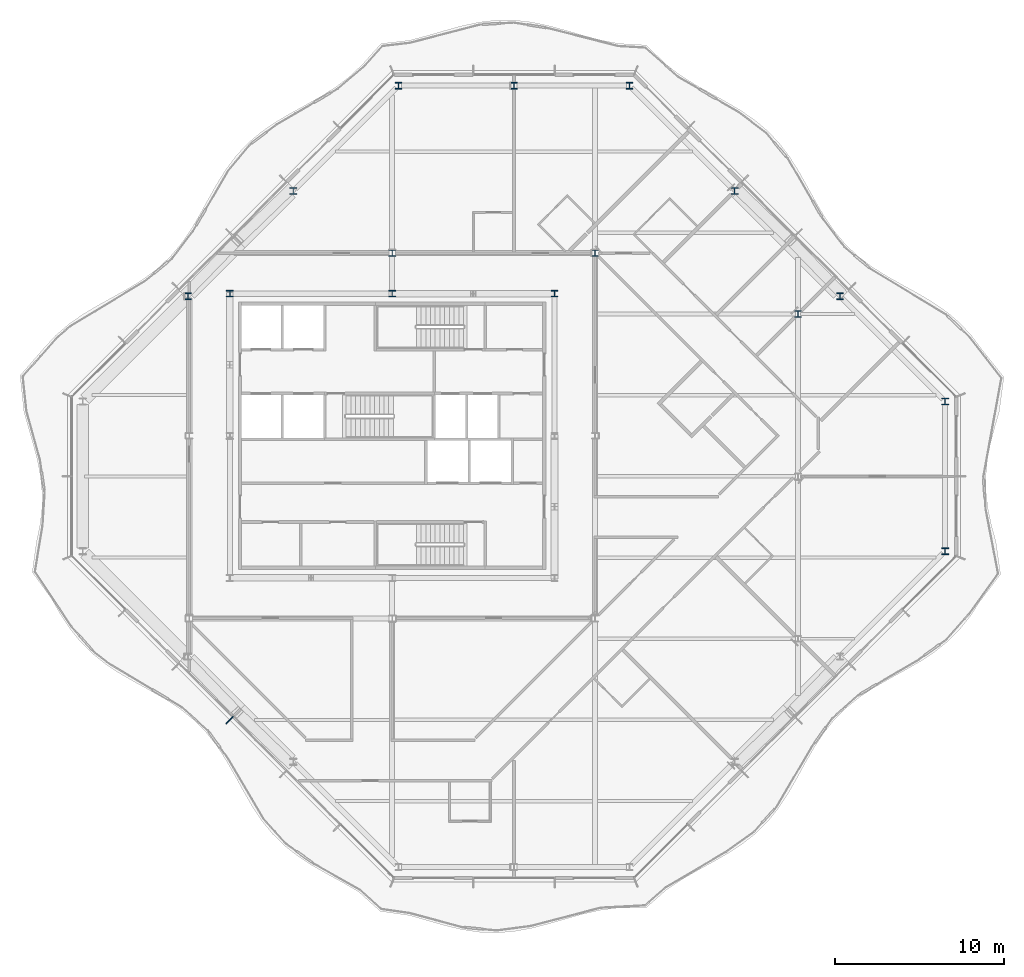
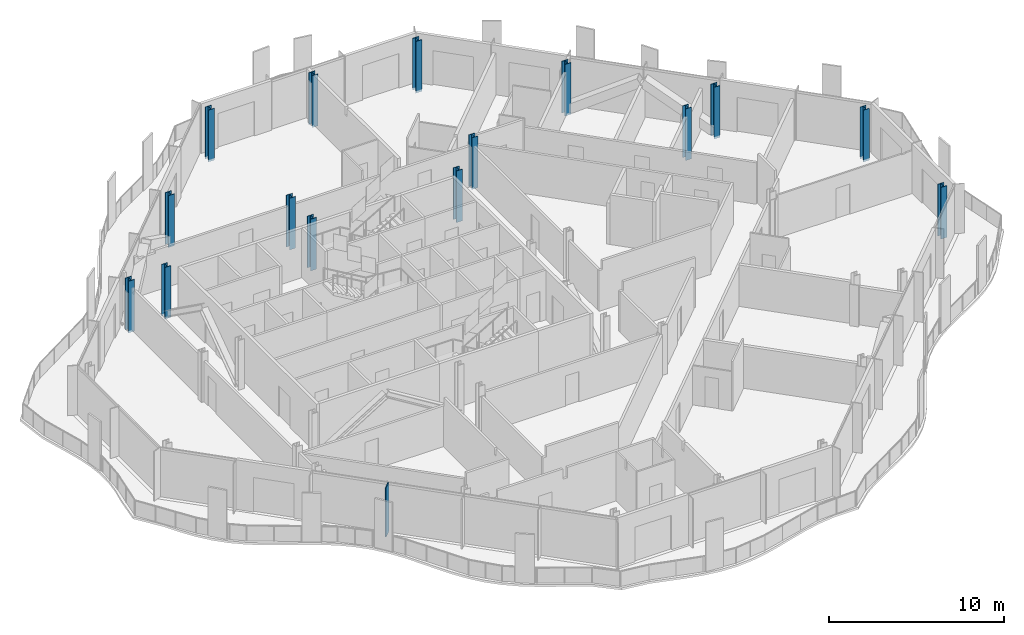
# One storey, part 2 of 16: 15 columns, 1 member, 1 element without a shape of its own.
"""IFC4 building model written with IfcOpenShell, lengths in metres."""

from ifc_helpers import new_model, si_unit, direction, frame, origin, origin_2d, place, context, subcontext, project, spatial, rectangle, i_section, extrude, material, material_profile, profile_set, type_object, element, aggregate, save


model = new_model("IFC4")

# Units and contexts
model_context = context("Model", 3, precision=1e-05, world=origin(), true_north=direction((0.0, 1.0)))
body_context = subcontext(model_context, "Body", "Model", "MODEL_VIEW")
ifc_project = project(units=[si_unit("LENGTHUNIT", "METRE"), si_unit("AREAUNIT", "SQUARE_METRE"), si_unit("VOLUMEUNIT", "CUBIC_METRE"), si_unit("PLANEANGLEUNIT", "RADIAN"), si_unit("MASSUNIT", "GRAM", prefix="KILO")], contexts=[model_context])

# Site, building, storey
site_placement = place(None, origin())
site = spatial("IfcSite", under=ifc_project, at=site_placement, CompositionType="ELEMENT")
building_placement = place(site_placement, origin())
building = spatial("IfcBuilding", under=site, at=building_placement, Name="Cairn Pilgrim Tower", CompositionType="ELEMENT")
storey_placement = place(building_placement, frame((0.0, 0.0, 277.800048828125)))
storey = spatial("IfcBuildingStorey", under=building, at=storey_placement, Name="L71", CompositionType="ELEMENT", Elevation=277.800048828125)

# Columns
ifc_material_1 = material(Name="Structural steel S355J2", Category="steel")
ifc_material_profile_1 = material_profile(ifc_material_1, i_section(OverallWidth=0.39404296875, OverallDepth=0.375, WebThickness=0.017333984375, FlangeThickness=0.027587890625, FilletRadius=0.014892578125, at=origin_2d()), Name="HD 400x216")
ifc_profile_set_1 = profile_set([ifc_material_profile_1], Name="Structural steel S355J2")
column_type_1 = type_object("IfcColumnType", Name="HD 400x216", PredefinedType="COLUMN", material=ifc_profile_set_1)
for number, where, z_axis, x_axis, name in (
    (1, (7.199951171875, 13.199951171875, -0.150146484375), (0.0, 0.0, 1.0), (1.0, 0.0, 0.0), "IC-7"),
    (2, (19.199951171875, 13.199951171875, -0.150146484375), (0.0, 0.0, 1.0), (1.0, 0.0, 0.0), "IC-8"),
    (3, (31.199951171875, 9.60009765625, -0.150146484375), (0.0, 0.0, 1.0), (1.0, 0.0, 0.0), "WC-WE+2"),
):
    element("IfcColumn", number, at=place(storey_placement, frame(where, z_axis=z_axis, x_axis=x_axis)), inside=storey, type_object=column_type_1, Name=name, PredefinedType="COLUMN", context=body_context, shape_type="SweptSolid", body=[
        extrude(i_section(OverallWidth=0.39404296875, OverallDepth=0.375, WebThickness=0.017333984375, FlangeThickness=0.027587890625, FilletRadius=0.014892578125, at=origin_2d()), origin(), (0.0, 0.0, 1.0), 3.60009765625),
    ])
ifc_material_profile_2 = material_profile(ifc_material_1, i_section(OverallWidth=0.39794921875, OverallDepth=0.386962890625, WebThickness=0.02099609375, FlangeThickness=0.033203125, FilletRadius=0.014892578125, at=origin_2d()), Name="HD 400x262")
ifc_profile_set_2 = profile_set([ifc_material_profile_2], Name="Structural steel S355J2")
column_type_2 = type_object("IfcColumnType", Name="HD 400x262", PredefinedType="COLUMN", material=ifc_profile_set_2)
for number, where, z_axis, x_axis, name in (
    (4, (-2.39990234375, 10.800048828125, -0.150146484375), (0.0, 0.0, 1.0), (1.0, 0.0, 0.0), "KC-6"),
    (5, (7.199951171875, 10.800048828125, -0.150146484375), (0.0, 0.0, 1.0), (1.0, 0.0, 0.0), "KC-7"),
    (6, (16.800048828125, 10.800048828125, -0.150146484375), (0.0, 0.0, 1.0), (1.0, 0.0, 0.0), "KC-8"),
):
    element("IfcColumn", number, at=place(storey_placement, frame(where, z_axis=z_axis, x_axis=x_axis)), inside=storey, type_object=column_type_2, Name=name, PredefinedType="COLUMN", context=body_context, shape_type="SweptSolid", body=[
        extrude(i_section(OverallWidth=0.39794921875, OverallDepth=0.386962890625, WebThickness=0.02099609375, FlangeThickness=0.033203125, FilletRadius=0.014892578125, at=origin_2d()), origin(), (0.0, 0.0, 1.0), 3.60009765625),
    ])
ifc_material_profile_3 = material_profile(ifc_material_1, i_section(OverallWidth=0.39892578125, OverallDepth=0.39306640625, WebThickness=0.022705078125, FlangeThickness=0.03662109375, FilletRadius=0.014892578125, at=origin_2d()), Name="HD 400x287")
ifc_profile_set_3 = profile_set([ifc_material_profile_3], Name="Structural steel S355J2")
column_type_3 = type_object("IfcColumnType", Name="HD 400x287", PredefinedType="COLUMN", material=ifc_profile_set_3)
for number, where, z_axis, x_axis, name in (
    (7, (39.89990234375, -4.42724609375, -0.150146484375), (0.0, 0.0, 1.0), (1.0, 0.0, 0.0), "PC4-E1"),
    (8, (39.89990234375, 4.42724609375, -0.150146484375), (0.0, 0.0, 1.0), (1.0, 0.0, 0.0), "PC4-NE1"),
    (9, (33.67578125, 10.651611328125, -0.150146484375), (0.0, 0.0, 1.0), (1.0, 0.0, 0.0), "PC4-NE2"),
    (10, (27.451416015625, 16.875732421875, -0.150146484375), (0.0, 0.0, 1.0), (1.0, 0.0, 0.0), "PC4-NE3"),
    (11, (21.227294921875, 23.10009765625, -0.150146484375), (0.0, 0.0, 1.0), (1.0, 0.0, 0.0), "PC4-N1"),
    (12, (14.39990234375, 23.10009765625, -0.150146484375), (0.0, 0.0, 1.0), (1.0, 0.0, 0.0), "PC4-N2"),
    (13, (7.57275390625, 23.10009765625, -0.150146484375), (0.0, 0.0, 1.0), (1.0, 0.0, 0.0), "PC4-NW1"),
    (14, (1.348388671875, 16.875732421875, -0.150146484375), (0.0, 0.0, 1.0), (1.0, 0.0, 0.0), "PC4-NW2"),
    (15, (-4.875732421875, 10.651611328125, -0.150146484375), (0.0, 0.0, 1.0), (1.0, 0.0, 0.0), "PC4-NW3"),
):
    element("IfcColumn", number, at=place(storey_placement, frame(where, z_axis=z_axis, x_axis=x_axis)), inside=storey, type_object=column_type_3, Name=name, PredefinedType="COLUMN", context=body_context, shape_type="SweptSolid", body=[
        extrude(i_section(OverallWidth=0.39892578125, OverallDepth=0.39306640625, WebThickness=0.022705078125, FlangeThickness=0.03662109375, FilletRadius=0.014892578125, at=origin_2d()), origin(), (0.0, 0.0, 1.0), 3.60009765625),
    ])

# Curtain wall, member
ifc_material_2 = material(Name="Aluminium alloy 6063-T6 bronze anodised with Bronze tinted laminated low-E glass 8+16+8.8", Category="aluminium")
curtain_wall_type = type_object("IfcCurtainWallType", Name="CROWN CURTAIN WALL", PredefinedType="NOTDEFINED", material=ifc_material_2)
curtain_wall_placement = place(storey_placement, origin())
curtain_wall = element("IfcCurtainWall", 16, at=curtain_wall_placement, inside=storey, type_object=curtain_wall_type, Name="Crown Curtain Wall SW", PredefinedType="NOTDEFINED")
ifc_material_3 = material(Name="Aluminium alloy 6063-T6 bronze anodised", Category="aluminium")
ifc_material_profile_4 = material_profile(ifc_material_3, rectangle(XDim=0.60009765625, YDim=0.06005859375, at=origin_2d()), Name="FIN MULLION 60x600 BRONZE")
ifc_profile_set_4 = profile_set([ifc_material_profile_4], Name="Aluminium alloy 6063-T6 bronze anodised")
member_type = type_object("IfcMemberType", Name="FIN MULLION 60x600 BRONZE", PredefinedType="MULLION", material=ifc_profile_set_4)
member_placement = place(storey_placement, frame((-2.4140625, -14.4140625, 0.0), z_axis=(0.0, 0.0, 1.0), x_axis=(-0.707106781187, -0.707106781187, 0.0)))
member = element("IfcMember", 17, at=member_placement, type_object=member_type, Name="Fin mullion SW4", PredefinedType="MULLION", context=body_context, shape_type="SweptSolid", body=[
    extrude(rectangle(XDim=0.60009765625, YDim=0.06005859375, at=origin_2d()), origin(), (0.0, 0.0, 1.0), 3.449951171875),
])
aggregate(curtain_wall, [member])

save(model, "model.ifc")
